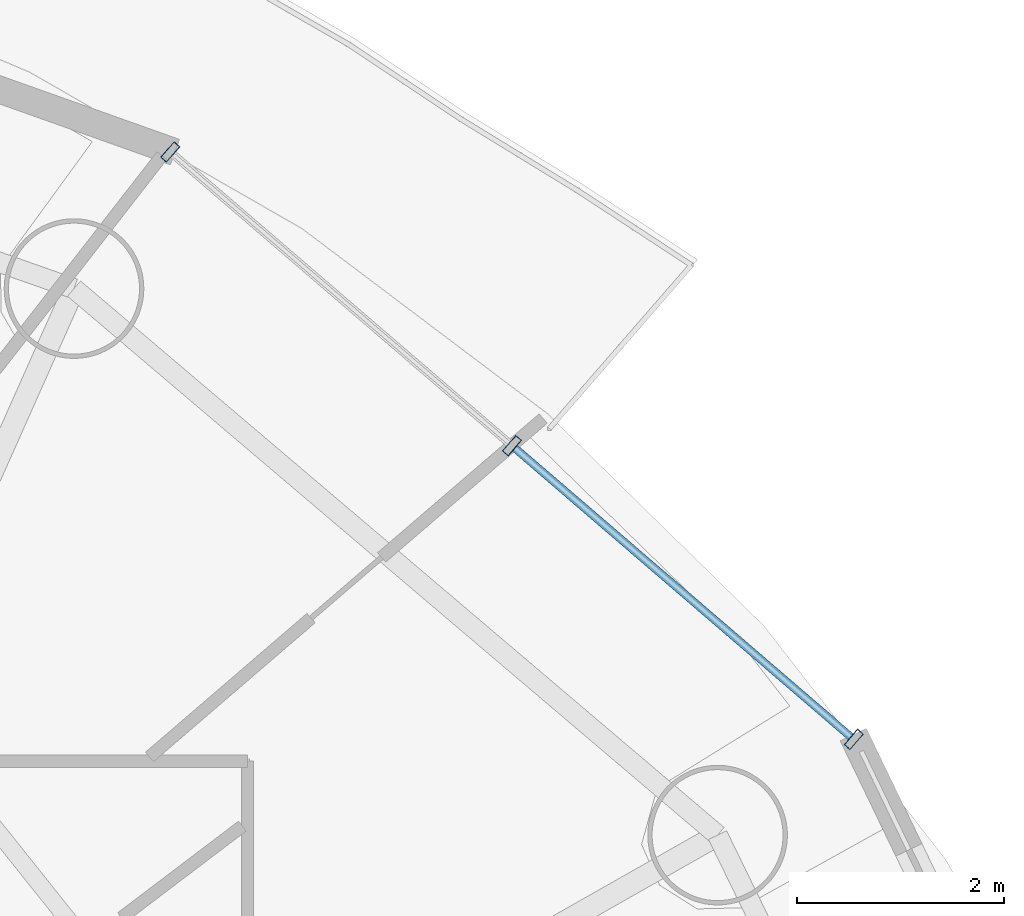
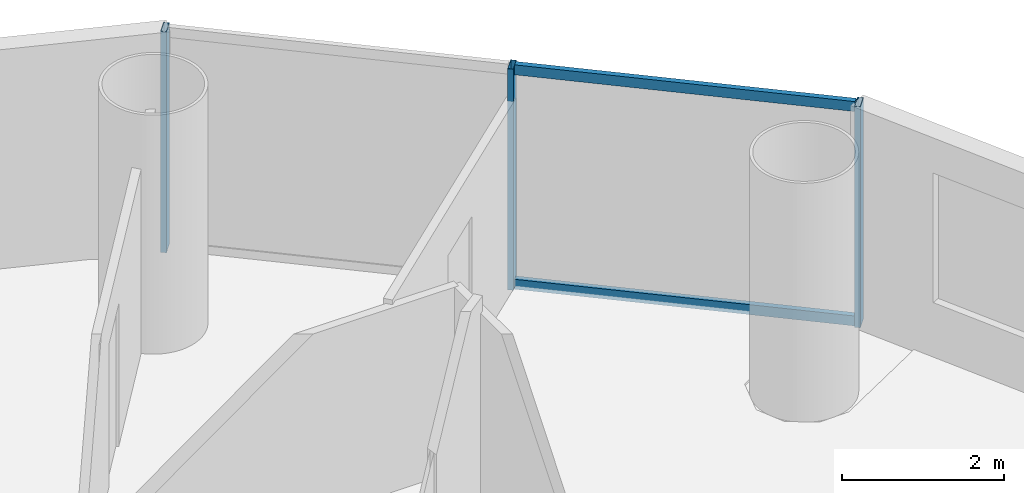
# One storey, part 18 of 26: 5 members, 1 element without a shape of its own.
"""IFC4 building model written with IfcOpenShell, lengths in metres."""

from ifc_helpers import new_model, si_unit, direction, frame, origin, origin_2d, place, context, subcontext, project, spatial, hollow_rectangle, extrude, source, transform, mapped, material, material_profile, profile_set, type_object, element, aggregate, save


model = new_model("IFC4")

# Units and contexts
model_context = context("Model", 3, precision=1e-05, world=origin(), true_north=direction((-0.2419218956, 0.970295726276)))
body_context = subcontext(model_context, "Body", "Model", "MODEL_VIEW")
ifc_project = project(units=[si_unit("LENGTHUNIT", "METRE"), si_unit("AREAUNIT", "SQUARE_METRE"), si_unit("VOLUMEUNIT", "CUBIC_METRE"), si_unit("PLANEANGLEUNIT", "RADIAN"), si_unit("MASSUNIT", "GRAM", prefix="KILO")], contexts=[model_context])

# Site, building, storey
site_placement = place(None, origin())
site = spatial("IfcSite", under=ifc_project, at=site_placement, CompositionType="ELEMENT")
building_placement = place(site_placement, origin())
building = spatial("IfcBuilding", under=site, at=building_placement, Name="Cobrevalo Terracotta Tower", CompositionType="ELEMENT")
storey_placement = place(building_placement, frame((0.0, 0.0, 178.60009765625)))
storey = spatial("IfcBuildingStorey", under=building, at=storey_placement, Name="L47", CompositionType="ELEMENT", Elevation=178.60009765625)

# Curtain wall, members
ifc_material = material(Name="Anodized aluminium", Category="aluminium")
curtain_wall_type = type_object("IfcCurtainWallType", Name="Mid-tower high-wind unitised curtain wall CW-U2", PredefinedType="NOTDEFINED", material=ifc_material)
curtain_wall_placement = place(storey_placement, origin())
curtain_wall = element("IfcCurtainWall", 1, at=curtain_wall_placement, inside=storey, type_object=curtain_wall_type, Name="L47 curtain wall CW-L47-S02", PredefinedType="NOTDEFINED")
ifc_material_profile_1 = material_profile(ifc_material, hollow_rectangle(XDim=0.074951171875, YDim=0.14990234375, WallThickness=0.00439453125, at=origin_2d()), Name="CWT 75x150")
ifc_profile_set_1 = profile_set([ifc_material_profile_1], Name="Anodized aluminium")
member_type_1 = type_object("IfcMemberType", Name="Tower unitised aluminium transom 75x150", PredefinedType="USERDEFINED", material=ifc_profile_set_1)
shared_shape_1 = source(origin(), body_context, "Body", "SweptSolid", [
    extrude(hollow_rectangle(XDim=0.074951171875, YDim=0.14990234375, WallThickness=0.00439453125, at=origin_2d()), origin(), (0.0, 0.0, 1.0), 4.276123046875),
])
member_1_placement = place(storey_placement, frame((58.035888671875, 38.391357421875, 0.0498046875), z_axis=(-0.758445941187, 0.65173595443, 0.0), x_axis=(-0.65173595443, -0.758445941187, 0.0)))
member_1 = element("IfcMember", 2, at=member_1_placement, type_object=member_type_1, Name="CW-L47-S02 transom B01-T1", ObjectType="TRANSOM", PredefinedType="USERDEFINED", context=body_context, shape_type="MappedRepresentation", body=[
    mapped(shared_shape_1, transform((0.0, 0.0, 0.0), scale=1.0)),
])
member_2_placement = place(storey_placement, frame((58.035888671875, 38.391357421875, 3.27978515625), z_axis=(-0.758445941187, 0.65173595443, 0.0), x_axis=(-0.65173595443, -0.758445941187, 0.0)))
member_2 = element("IfcMember", 3, at=member_2_placement, type_object=member_type_1, Name="CW-L47-S02 transom B01-T2", ObjectType="TRANSOM", PredefinedType="USERDEFINED", context=body_context, shape_type="MappedRepresentation", body=[
    mapped(shared_shape_1, transform((0.0, 0.0, 0.0), scale=1.0)),
])
ifc_material_profile_2 = material_profile(ifc_material, hollow_rectangle(XDim=0.074951171875, YDim=0.199951171875, WallThickness=0.0048828125, at=origin_2d()), Name="CWM 75x200")
ifc_profile_set_2 = profile_set([ifc_material_profile_2], Name="Anodized aluminium")
member_type_2 = type_object("IfcMemberType", Name="Lower/mid tower unitised mullion 75x200", PredefinedType="MULLION", material=ifc_profile_set_2)
shared_shape_2 = source(origin(), body_context, "Body", "SweptSolid", [
    extrude(hollow_rectangle(XDim=0.074951171875, YDim=0.199951171875, WallThickness=0.0048828125, at=origin_2d()), origin(), (0.0, 0.0, 1.0), 3.329833984375),
])
member_3_placement = place(storey_placement, frame((58.066162109375, 38.365234375, 0.0), z_axis=(0.0, 0.0, 1.0), x_axis=(-0.758441546142, 0.65174106905, 0.0)))
member_3 = element("IfcMember", 4, at=member_3_placement, type_object=member_type_2, Name="CW-L47-S02 vertical mullion 01", PredefinedType="MULLION", context=body_context, shape_type="MappedRepresentation", body=[
    mapped(shared_shape_2, transform((0.0, 0.0, 0.0), scale=1.0)),
])
member_4_placement = place(storey_placement, frame((54.762451171875, 41.204345703125, 0.0), z_axis=(0.0, 0.0, 1.0), x_axis=(-0.758441546142, 0.65174106905, 0.0)))
member_4 = element("IfcMember", 5, at=member_4_placement, type_object=member_type_2, Name="CW-L47-S02 vertical mullion 02", PredefinedType="MULLION", context=body_context, shape_type="MappedRepresentation", body=[
    mapped(shared_shape_2, transform((0.0, 0.0, 0.0), scale=1.0)),
])
member_5_placement = place(storey_placement, frame((51.45849609375, 44.04345703125, 0.0), z_axis=(0.0, 0.0, 1.0), x_axis=(-0.758441546142, 0.65174106905, 0.0)))
member_5 = element("IfcMember", 6, at=member_5_placement, type_object=member_type_2, Name="CW-L47-S02 vertical mullion 03", PredefinedType="MULLION", context=body_context, shape_type="MappedRepresentation", body=[
    mapped(shared_shape_2, transform((0.0, 0.0, 0.0), scale=1.0)),
])
aggregate(curtain_wall, [member_3, member_4, member_5, member_1, member_2])

save(model, "model.ifc")
